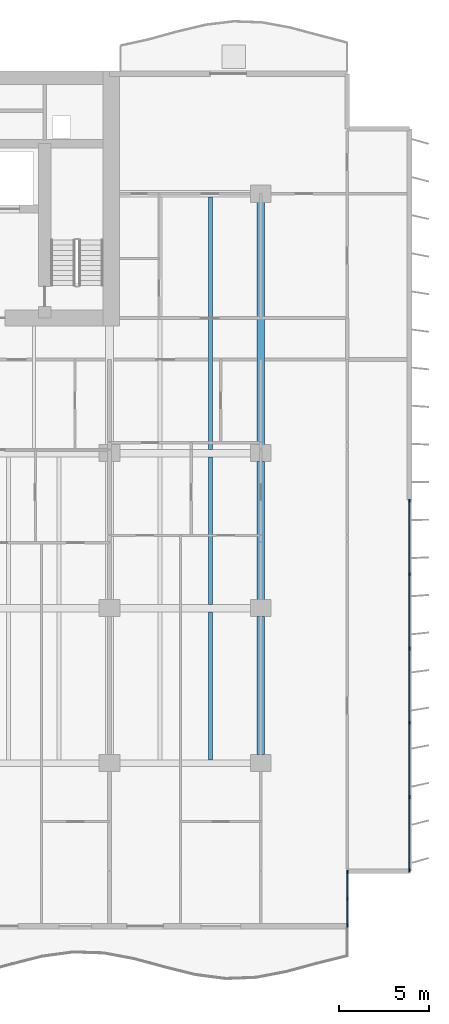
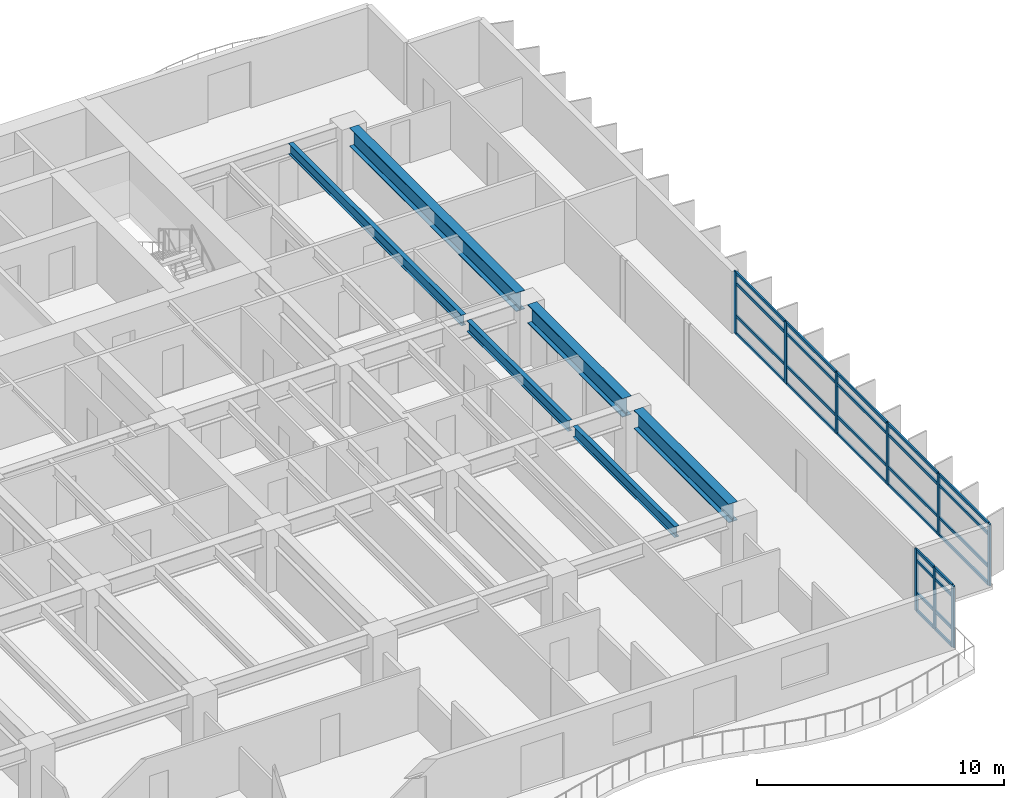
# One storey, part 4 of 17: 37 members, 6 beams, 2 elements without a shape of their own.
"""IFC4 building model written with IfcOpenShell, lengths in metres."""

from ifc_helpers import new_model, si_unit, direction, frame, origin, origin_2d, place, context, subcontext, project, spatial, rectangle, i_section, extrude, material, layer, layer_set, material_profile, profile_set, type_object, element, aggregate, save


model = new_model("IFC4")

# Units and contexts
model_context = context("Model", 3, precision=1e-05, world=origin(), true_north=direction((0.0, 1.0)))
body_context = subcontext(model_context, "Body", "Model", "MODEL_VIEW")
ifc_project = project(units=[si_unit("LENGTHUNIT", "METRE"), si_unit("AREAUNIT", "SQUARE_METRE"), si_unit("VOLUMEUNIT", "CUBIC_METRE"), si_unit("PLANEANGLEUNIT", "RADIAN"), si_unit("MASSUNIT", "GRAM", prefix="KILO")], contexts=[model_context])

# Site, building, storey
site_placement = place(None, origin())
site = spatial("IfcSite", under=ifc_project, at=site_placement, CompositionType="ELEMENT")
building_placement = place(site_placement, origin())
building = spatial("IfcBuilding", under=site, at=building_placement, Name="Caelmar Bay Residences", CompositionType="ELEMENT")
storey_placement = place(building_placement, frame((0.0, 0.0, 49.800048828125)))
storey = spatial("IfcBuildingStorey", under=building, at=storey_placement, Name="L12", CompositionType="ELEMENT", Elevation=49.800048828125)

# Beams
ifc_material_1 = material(Name="Steel ASTM A992 Grade 50", Category="steel")
ifc_material_profile_1 = material_profile(ifc_material_1, i_section(OverallWidth=0.422119140625, OverallDepth=0.925048828125, WebThickness=0.021240234375, FlangeThickness=0.03662109375, FilletRadius=0.020263671875, at=origin_2d()), Name="W36X262")
ifc_profile_set_1 = profile_set([ifc_material_profile_1], Name="Steel ASTM A992 Grade 50")
beam_type_1 = type_object("IfcBeamType", Name="BM-GRD-W36X262", PredefinedType="BEAM", material=ifc_profile_set_1)
beam_1_placement = place(storey_placement, frame((67.89990234375, 12.6650390625, 2.58740234375), z_axis=(0.0, 1.0, 0.0), x_axis=(-1.0, 0.0, 0.0)))
element("IfcBeam", 1, at=beam_1_placement, inside=storey, type_object=beam_type_1, Name="L12 North-South Girder X=67.90 (12.2-20.8)", PredefinedType="BEAM", context=body_context, shape_type="SweptSolid", body=[
    extrude(i_section(OverallWidth=0.422119140625, OverallDepth=0.925048828125, WebThickness=0.021240234375, FlangeThickness=0.03662109375, FilletRadius=0.020263671875, at=origin_2d()), origin(), (0.0, 0.0, 1.0), 7.669921875),
])
beam_2_placement = place(storey_placement, frame((67.89990234375, 21.264892578125, 2.58740234375), z_axis=(0.0, 1.0, 0.0), x_axis=(-1.0, 0.0, 0.0)))
element("IfcBeam", 2, at=beam_2_placement, inside=storey, type_object=beam_type_1, Name="L12 North-South Girder X=67.90 (20.8-29.4)", PredefinedType="BEAM", context=body_context, shape_type="SweptSolid", body=[
    extrude(i_section(OverallWidth=0.422119140625, OverallDepth=0.925048828125, WebThickness=0.021240234375, FlangeThickness=0.03662109375, FilletRadius=0.020263671875, at=origin_2d()), origin(), (0.0, 0.0, 1.0), 7.670166015625),
])
beam_3_placement = place(storey_placement, frame((67.89990234375, 29.864990234375, 2.58740234375), z_axis=(0.0, 1.0, 0.0), x_axis=(-1.0, 0.0, 0.0)))
element("IfcBeam", 3, at=beam_3_placement, inside=storey, type_object=beam_type_1, Name="L12 North-South Girder X=67.90 (29.4-43.8)", PredefinedType="BEAM", context=body_context, shape_type="SweptSolid", body=[
    extrude(i_section(OverallWidth=0.422119140625, OverallDepth=0.925048828125, WebThickness=0.021240234375, FlangeThickness=0.03662109375, FilletRadius=0.020263671875, at=origin_2d()), origin(), (0.0, 0.0, 1.0), 13.469970703125),
])
ifc_material_profile_2 = material_profile(ifc_material_1, i_section(OverallWidth=0.2099609375, OverallDepth=0.535888671875, WebThickness=0.010986328125, FlangeThickness=0.017333984375, FilletRadius=0.0126953125, at=origin_2d()), Name="W21X68")
ifc_profile_set_2 = profile_set([ifc_material_profile_2], Name="Steel ASTM A992 Grade 50")
beam_type_2 = type_object("IfcBeamType", Name="BM-JST-W21X68", PredefinedType="JOIST", material=ifc_profile_set_2)
beam_4_placement = place(storey_placement, frame((65.10009765625, 12.3779296875, 2.781982421875), z_axis=(0.0, 1.0, 0.0), x_axis=(-1.0, 0.0, 0.0)))
element("IfcBeam", 4, at=beam_4_placement, inside=storey, type_object=beam_type_2, Name="L12 Composite Floor Joist 14", PredefinedType="JOIST", context=body_context, shape_type="SweptSolid", body=[
    extrude(i_section(OverallWidth=0.2099609375, OverallDepth=0.535888671875, WebThickness=0.010986328125, FlangeThickness=0.017333984375, FilletRadius=0.0126953125, at=origin_2d()), origin(), (0.0, 0.0, 1.0), 8.211181640625),
])
beam_5_placement = place(storey_placement, frame((65.10009765625, 21.010986328125, 2.781982421875), z_axis=(0.0, 1.0, 0.0), x_axis=(-1.0, 0.0, 0.0)))
element("IfcBeam", 5, at=beam_5_placement, inside=storey, type_object=beam_type_2, Name="L12 Composite Floor Joist 28", PredefinedType="JOIST", context=body_context, shape_type="SweptSolid", body=[
    extrude(i_section(OverallWidth=0.2099609375, OverallDepth=0.535888671875, WebThickness=0.010986328125, FlangeThickness=0.017333984375, FilletRadius=0.0126953125, at=origin_2d()), origin(), (0.0, 0.0, 1.0), 8.177978515625),
])
beam_6_placement = place(storey_placement, frame((65.10009765625, 29.611083984375, 2.781982421875), z_axis=(0.0, 1.0, 0.0), x_axis=(-1.0, 0.0, 0.0)))
element("IfcBeam", 6, at=beam_6_placement, inside=storey, type_object=beam_type_2, Name="L12 Composite Floor Joist 37", PredefinedType="JOIST", context=body_context, shape_type="SweptSolid", body=[
    extrude(i_section(OverallWidth=0.2099609375, OverallDepth=0.535888671875, WebThickness=0.010986328125, FlangeThickness=0.017333984375, FilletRadius=0.0126953125, at=origin_2d()), origin(), (0.0, 0.0, 1.0), 14.010986328125),
])

# Curtain wall, members
ifc_material_2 = material(Name="Anodised bronze aluminium 6063-T6 and laminated glass", Category="aluminium")
ifc_layer_1 = layer(ifc_material_2, 0.179931640625)
ifc_layer_set_1 = layer_set([ifc_layer_1], Name="Anodised bronze aluminium 6063-T6 and laminated glass")
curtain_wall_type_1 = type_object("IfcCurtainWallType", Name="CW6-NTC", PredefinedType="NOTDEFINED", material=ifc_layer_set_1)
curtain_wall_1_placement = place(storey_placement, origin())
curtain_wall_1 = element("IfcCurtainWall", 7, at=curtain_wall_1_placement, inside=storey, type_object=curtain_wall_type_1, Name="CW6 curtain wall L12", PredefinedType="NOTDEFINED")
ifc_material_3 = material(Name="Anodised bronze aluminium 6063-T6", Category="aluminium")
ifc_material_profile_3 = material_profile(ifc_material_3, rectangle(XDim=0.080078125, YDim=0.179931640625, at=origin_2d()), Name="CWM-80X180")
ifc_profile_set_3 = profile_set([ifc_material_profile_3], Name="Anodised bronze aluminium 6063-T6")
member_type_1 = type_object("IfcMemberType", Name="CWM-180", PredefinedType="MULLION", material=ifc_profile_set_3)
member_1_placement = place(storey_placement, frame((72.699951171875, 3.18994140625, 0.0), z_axis=(0.0, 0.0, 1.0), x_axis=(-1.0, 0.0, 0.0)))
member_1 = element("IfcMember", 8, at=member_1_placement, type_object=member_type_1, Name="CW6 mullion 1", PredefinedType="MULLION", context=body_context, shape_type="SweptSolid", body=[
    extrude(rectangle(XDim=0.080078125, YDim=0.179931640625, at=origin_2d()), origin(), (0.0, 0.0, 1.0), 3.050048828125),
])
member_2_placement = place(storey_placement, frame((72.699951171875, 4.675048828125, 0.0), z_axis=(0.0, 0.0, 1.0), x_axis=(-1.0, 0.0, 0.0)))
member_2 = element("IfcMember", 9, at=member_2_placement, type_object=member_type_1, Name="CW6 mullion 2", PredefinedType="MULLION", context=body_context, shape_type="SweptSolid", body=[
    extrude(rectangle(XDim=0.080078125, YDim=0.179931640625, at=origin_2d()), origin(), (0.0, 0.0, 1.0), 3.050048828125),
])
member_3_placement = place(storey_placement, frame((72.699951171875, 6.159912109375, 0.0), z_axis=(0.0, 0.0, 1.0), x_axis=(-1.0, 0.0, 0.0)))
member_3 = element("IfcMember", 10, at=member_3_placement, type_object=member_type_1, Name="CW6 mullion 3", PredefinedType="MULLION", context=body_context, shape_type="SweptSolid", body=[
    extrude(rectangle(XDim=0.080078125, YDim=0.179931640625, at=origin_2d()), origin(), (0.0, 0.0, 1.0), 3.050048828125),
])

ifc_layer_2 = layer(ifc_material_2, 0.179931640625)
ifc_layer_set_2 = layer_set([ifc_layer_2], Name="Anodised bronze aluminium 6063-T6 and laminated glass")
curtain_wall_type_2 = type_object("IfcCurtainWallType", Name="CW2-Z1", PredefinedType="NOTDEFINED", material=ifc_layer_set_2)
curtain_wall_2_placement = place(storey_placement, origin())
curtain_wall_2 = element("IfcCurtainWall", 11, at=curtain_wall_2_placement, inside=storey, type_object=curtain_wall_type_2, Name="CW2 curtain wall L12", PredefinedType="NOTDEFINED")
member_4_placement = place(storey_placement, frame((76.14990234375, 26.760009765625, 0.0), z_axis=(0.0, 0.0, 1.0), x_axis=(1.0, 0.0, 0.0)))
member_4 = element("IfcMember", 12, at=member_4_placement, type_object=member_type_1, Name="CW2 mullion 1", PredefinedType="MULLION", context=body_context, shape_type="SweptSolid", body=[
    extrude(rectangle(XDim=0.080078125, YDim=0.179931640625, at=origin_2d()), origin(), (0.0, 0.0, 1.0), 3.050048828125),
])
member_5_placement = place(storey_placement, frame((76.14990234375, 22.679931640625, 0.0), z_axis=(0.0, 0.0, 1.0), x_axis=(1.0, 0.0, 0.0)))
member_5 = element("IfcMember", 13, at=member_5_placement, type_object=member_type_1, Name="CW2 mullion 2", PredefinedType="MULLION", context=body_context, shape_type="SweptSolid", body=[
    extrude(rectangle(XDim=0.080078125, YDim=0.179931640625, at=origin_2d()), origin(), (0.0, 0.0, 1.0), 3.050048828125),
])
member_6_placement = place(storey_placement, frame((76.14990234375, 18.56005859375, 0.0), z_axis=(0.0, 0.0, 1.0), x_axis=(1.0, 0.0, 0.0)))
member_6 = element("IfcMember", 14, at=member_6_placement, type_object=member_type_1, Name="CW2 mullion 3", PredefinedType="MULLION", context=body_context, shape_type="SweptSolid", body=[
    extrude(rectangle(XDim=0.080078125, YDim=0.179931640625, at=origin_2d()), origin(), (0.0, 0.0, 1.0), 3.050048828125),
])
member_7_placement = place(storey_placement, frame((76.14990234375, 14.43994140625, 0.0), z_axis=(0.0, 0.0, 1.0), x_axis=(1.0, 0.0, 0.0)))
member_7 = element("IfcMember", 15, at=member_7_placement, type_object=member_type_1, Name="CW2 mullion 4", PredefinedType="MULLION", context=body_context, shape_type="SweptSolid", body=[
    extrude(rectangle(XDim=0.080078125, YDim=0.179931640625, at=origin_2d()), origin(), (0.0, 0.0, 1.0), 3.050048828125),
])
member_8_placement = place(storey_placement, frame((76.14990234375, 10.320068359375, 0.0), z_axis=(0.0, 0.0, 1.0), x_axis=(1.0, 0.0, 0.0)))
member_8 = element("IfcMember", 16, at=member_8_placement, type_object=member_type_1, Name="CW2 mullion 5", PredefinedType="MULLION", context=body_context, shape_type="SweptSolid", body=[
    extrude(rectangle(XDim=0.080078125, YDim=0.179931640625, at=origin_2d()), origin(), (0.0, 0.0, 1.0), 3.050048828125),
])
member_9_placement = place(storey_placement, frame((76.14990234375, 6.239990234375, 0.0), z_axis=(0.0, 0.0, 1.0), x_axis=(1.0, 0.0, 0.0)))
member_9 = element("IfcMember", 17, at=member_9_placement, type_object=member_type_1, Name="CW2 mullion 6", PredefinedType="MULLION", context=body_context, shape_type="SweptSolid", body=[
    extrude(rectangle(XDim=0.080078125, YDim=0.179931640625, at=origin_2d()), origin(), (0.0, 0.0, 1.0), 3.050048828125),
])

# Member
ifc_material_profile_4 = material_profile(ifc_material_3, rectangle(XDim=0.080078125, YDim=0.139892578125, at=origin_2d()), Name="CWT-80X140")
ifc_profile_set_4 = profile_set([ifc_material_profile_4], Name="Anodised bronze aluminium 6063-T6")
member_type_2 = type_object("IfcMemberType", Name="CWT-140", PredefinedType="NOTDEFINED", material=ifc_profile_set_4)
member_10_placement = place(storey_placement, frame((72.699951171875, 3.22998046875, 0.0400390625), z_axis=(0.0, 1.0, 0.0), x_axis=(-1.0, 0.0, 0.0)))
member_10 = element("IfcMember", 18, at=member_10_placement, type_object=member_type_2, Name="CW6 transom 1.1", ObjectType="TRANSOM", PredefinedType="USERDEFINED", context=body_context, shape_type="SweptSolid", body=[
    extrude(rectangle(XDim=0.080078125, YDim=0.139892578125, at=origin_2d()), origin(), (0.0, 0.0, 1.0), 1.405029296875),
])

member_11_placement = place(storey_placement, frame((72.699951171875, 3.22998046875, 0.89990234375), z_axis=(0.0, 1.0, 0.0), x_axis=(-1.0, 0.0, 0.0)))
member_11 = element("IfcMember", 19, at=member_11_placement, type_object=member_type_2, Name="CW6 transom 1.2", ObjectType="TRANSOM", PredefinedType="USERDEFINED", context=body_context, shape_type="SweptSolid", body=[
    extrude(rectangle(XDim=0.080078125, YDim=0.139892578125, at=origin_2d()), origin(), (0.0, 0.0, 1.0), 1.405029296875),
])

member_12_placement = place(storey_placement, frame((72.699951171875, 3.22998046875, 2.5), z_axis=(0.0, 1.0, 0.0), x_axis=(-1.0, 0.0, 0.0)))
member_12 = element("IfcMember", 20, at=member_12_placement, type_object=member_type_2, Name="CW6 transom 1.3", ObjectType="TRANSOM", PredefinedType="USERDEFINED", context=body_context, shape_type="SweptSolid", body=[
    extrude(rectangle(XDim=0.080078125, YDim=0.139892578125, at=origin_2d()), origin(), (0.0, 0.0, 1.0), 1.405029296875),
])

member_13_placement = place(storey_placement, frame((72.699951171875, 3.22998046875, 3.010009765625), z_axis=(0.0, 1.0, 0.0), x_axis=(-1.0, 0.0, 0.0)))
member_13 = element("IfcMember", 21, at=member_13_placement, type_object=member_type_2, Name="CW6 transom 1.4", ObjectType="TRANSOM", PredefinedType="USERDEFINED", context=body_context, shape_type="SweptSolid", body=[
    extrude(rectangle(XDim=0.080078125, YDim=0.139892578125, at=origin_2d()), origin(), (0.0, 0.0, 1.0), 1.405029296875),
])

member_14_placement = place(storey_placement, frame((72.699951171875, 4.715087890625, 0.0400390625), z_axis=(0.0, 1.0, 0.0), x_axis=(-1.0, 0.0, 0.0)))
member_14 = element("IfcMember", 22, at=member_14_placement, type_object=member_type_2, Name="CW6 transom 2.1", ObjectType="TRANSOM", PredefinedType="USERDEFINED", context=body_context, shape_type="SweptSolid", body=[
    extrude(rectangle(XDim=0.080078125, YDim=0.139892578125, at=origin_2d()), origin(), (0.0, 0.0, 1.0), 1.405029296875),
])

member_15_placement = place(storey_placement, frame((72.699951171875, 4.715087890625, 0.89990234375), z_axis=(0.0, 1.0, 0.0), x_axis=(-1.0, 0.0, 0.0)))
member_15 = element("IfcMember", 23, at=member_15_placement, type_object=member_type_2, Name="CW6 transom 2.2", ObjectType="TRANSOM", PredefinedType="USERDEFINED", context=body_context, shape_type="SweptSolid", body=[
    extrude(rectangle(XDim=0.080078125, YDim=0.139892578125, at=origin_2d()), origin(), (0.0, 0.0, 1.0), 1.405029296875),
])

member_16_placement = place(storey_placement, frame((72.699951171875, 4.715087890625, 2.5), z_axis=(0.0, 1.0, 0.0), x_axis=(-1.0, 0.0, 0.0)))
member_16 = element("IfcMember", 24, at=member_16_placement, type_object=member_type_2, Name="CW6 transom 2.3", ObjectType="TRANSOM", PredefinedType="USERDEFINED", context=body_context, shape_type="SweptSolid", body=[
    extrude(rectangle(XDim=0.080078125, YDim=0.139892578125, at=origin_2d()), origin(), (0.0, 0.0, 1.0), 1.405029296875),
])

member_17_placement = place(storey_placement, frame((72.699951171875, 4.715087890625, 3.010009765625), z_axis=(0.0, 1.0, 0.0), x_axis=(-1.0, 0.0, 0.0)))
member_17 = element("IfcMember", 25, at=member_17_placement, type_object=member_type_2, Name="CW6 transom 2.4", ObjectType="TRANSOM", PredefinedType="USERDEFINED", context=body_context, shape_type="SweptSolid", body=[
    extrude(rectangle(XDim=0.080078125, YDim=0.139892578125, at=origin_2d()), origin(), (0.0, 0.0, 1.0), 1.405029296875),
])

aggregate(curtain_wall_1, [member_1, member_2, member_3, member_10, member_11, member_12, member_13, member_14, member_15, member_16, member_17])

member_18_placement = place(storey_placement, frame((76.14990234375, 26.719970703125, 0.0400390625), z_axis=(0.0, -1.0, 0.0), x_axis=(1.0, 0.0, 0.0)))
member_18 = element("IfcMember", 26, at=member_18_placement, type_object=member_type_2, Name="CW2 transom 1.1", ObjectType="TRANSOM", PredefinedType="USERDEFINED", context=body_context, shape_type="SweptSolid", body=[
    extrude(rectangle(XDim=0.080078125, YDim=0.139892578125, at=origin_2d()), origin(), (0.0, 0.0, 1.0), 4.0),
])

member_19_placement = place(storey_placement, frame((76.14990234375, 26.719970703125, 0.89990234375), z_axis=(0.0, -1.0, 0.0), x_axis=(1.0, 0.0, 0.0)))
member_19 = element("IfcMember", 27, at=member_19_placement, type_object=member_type_2, Name="CW2 transom 1.2", ObjectType="TRANSOM", PredefinedType="USERDEFINED", context=body_context, shape_type="SweptSolid", body=[
    extrude(rectangle(XDim=0.080078125, YDim=0.139892578125, at=origin_2d()), origin(), (0.0, 0.0, 1.0), 4.0),
])

member_20_placement = place(storey_placement, frame((76.14990234375, 26.719970703125, 2.5), z_axis=(0.0, -1.0, 0.0), x_axis=(1.0, 0.0, 0.0)))
member_20 = element("IfcMember", 28, at=member_20_placement, type_object=member_type_2, Name="CW2 transom 1.3", ObjectType="TRANSOM", PredefinedType="USERDEFINED", context=body_context, shape_type="SweptSolid", body=[
    extrude(rectangle(XDim=0.080078125, YDim=0.139892578125, at=origin_2d()), origin(), (0.0, 0.0, 1.0), 4.0),
])

member_21_placement = place(storey_placement, frame((76.14990234375, 26.719970703125, 3.010009765625), z_axis=(0.0, -1.0, 0.0), x_axis=(1.0, 0.0, 0.0)))
member_21 = element("IfcMember", 29, at=member_21_placement, type_object=member_type_2, Name="CW2 transom 1.4", ObjectType="TRANSOM", PredefinedType="USERDEFINED", context=body_context, shape_type="SweptSolid", body=[
    extrude(rectangle(XDim=0.080078125, YDim=0.139892578125, at=origin_2d()), origin(), (0.0, 0.0, 1.0), 4.0),
])

member_22_placement = place(storey_placement, frame((76.14990234375, 22.639892578125, 0.0400390625), z_axis=(0.0, -1.0, 0.0), x_axis=(1.0, 0.0, 0.0)))
member_22 = element("IfcMember", 30, at=member_22_placement, type_object=member_type_2, Name="CW2 transom 2.1", ObjectType="TRANSOM", PredefinedType="USERDEFINED", context=body_context, shape_type="SweptSolid", body=[
    extrude(rectangle(XDim=0.080078125, YDim=0.139892578125, at=origin_2d()), origin(), (0.0, 0.0, 1.0), 4.039794921875),
])

member_23_placement = place(storey_placement, frame((76.14990234375, 22.639892578125, 0.89990234375), z_axis=(0.0, -1.0, 0.0), x_axis=(1.0, 0.0, 0.0)))
member_23 = element("IfcMember", 31, at=member_23_placement, type_object=member_type_2, Name="CW2 transom 2.2", ObjectType="TRANSOM", PredefinedType="USERDEFINED", context=body_context, shape_type="SweptSolid", body=[
    extrude(rectangle(XDim=0.080078125, YDim=0.139892578125, at=origin_2d()), origin(), (0.0, 0.0, 1.0), 4.039794921875),
])

member_24_placement = place(storey_placement, frame((76.14990234375, 22.639892578125, 2.5), z_axis=(0.0, -1.0, 0.0), x_axis=(1.0, 0.0, 0.0)))
member_24 = element("IfcMember", 32, at=member_24_placement, type_object=member_type_2, Name="CW2 transom 2.3", ObjectType="TRANSOM", PredefinedType="USERDEFINED", context=body_context, shape_type="SweptSolid", body=[
    extrude(rectangle(XDim=0.080078125, YDim=0.139892578125, at=origin_2d()), origin(), (0.0, 0.0, 1.0), 4.039794921875),
])

member_25_placement = place(storey_placement, frame((76.14990234375, 22.639892578125, 3.010009765625), z_axis=(0.0, -1.0, 0.0), x_axis=(1.0, 0.0, 0.0)))
member_25 = element("IfcMember", 33, at=member_25_placement, type_object=member_type_2, Name="CW2 transom 2.4", ObjectType="TRANSOM", PredefinedType="USERDEFINED", context=body_context, shape_type="SweptSolid", body=[
    extrude(rectangle(XDim=0.080078125, YDim=0.139892578125, at=origin_2d()), origin(), (0.0, 0.0, 1.0), 4.039794921875),
])

member_26_placement = place(storey_placement, frame((76.14990234375, 18.52001953125, 0.0400390625), z_axis=(0.0, -1.0, 0.0), x_axis=(1.0, 0.0, 0.0)))
member_26 = element("IfcMember", 34, at=member_26_placement, type_object=member_type_2, Name="CW2 transom 3.1", ObjectType="TRANSOM", PredefinedType="USERDEFINED", context=body_context, shape_type="SweptSolid", body=[
    extrude(rectangle(XDim=0.080078125, YDim=0.139892578125, at=origin_2d()), origin(), (0.0, 0.0, 1.0), 4.0400390625),
])

member_27_placement = place(storey_placement, frame((76.14990234375, 18.52001953125, 0.89990234375), z_axis=(0.0, -1.0, 0.0), x_axis=(1.0, 0.0, 0.0)))
member_27 = element("IfcMember", 35, at=member_27_placement, type_object=member_type_2, Name="CW2 transom 3.2", ObjectType="TRANSOM", PredefinedType="USERDEFINED", context=body_context, shape_type="SweptSolid", body=[
    extrude(rectangle(XDim=0.080078125, YDim=0.139892578125, at=origin_2d()), origin(), (0.0, 0.0, 1.0), 4.0400390625),
])

member_28_placement = place(storey_placement, frame((76.14990234375, 18.52001953125, 2.5), z_axis=(0.0, -1.0, 0.0), x_axis=(1.0, 0.0, 0.0)))
member_28 = element("IfcMember", 36, at=member_28_placement, type_object=member_type_2, Name="CW2 transom 3.3", ObjectType="TRANSOM", PredefinedType="USERDEFINED", context=body_context, shape_type="SweptSolid", body=[
    extrude(rectangle(XDim=0.080078125, YDim=0.139892578125, at=origin_2d()), origin(), (0.0, 0.0, 1.0), 4.0400390625),
])

member_29_placement = place(storey_placement, frame((76.14990234375, 18.52001953125, 3.010009765625), z_axis=(0.0, -1.0, 0.0), x_axis=(1.0, 0.0, 0.0)))
member_29 = element("IfcMember", 37, at=member_29_placement, type_object=member_type_2, Name="CW2 transom 3.4", ObjectType="TRANSOM", PredefinedType="USERDEFINED", context=body_context, shape_type="SweptSolid", body=[
    extrude(rectangle(XDim=0.080078125, YDim=0.139892578125, at=origin_2d()), origin(), (0.0, 0.0, 1.0), 4.0400390625),
])

member_30_placement = place(storey_placement, frame((76.14990234375, 14.39990234375, 0.0400390625), z_axis=(0.0, -1.0, 0.0), x_axis=(1.0, 0.0, 0.0)))
member_30 = element("IfcMember", 38, at=member_30_placement, type_object=member_type_2, Name="CW2 transom 4.1", ObjectType="TRANSOM", PredefinedType="USERDEFINED", context=body_context, shape_type="SweptSolid", body=[
    extrude(rectangle(XDim=0.080078125, YDim=0.139892578125, at=origin_2d()), origin(), (0.0, 0.0, 1.0), 4.039794921875),
])

member_31_placement = place(storey_placement, frame((76.14990234375, 14.39990234375, 0.89990234375), z_axis=(0.0, -1.0, 0.0), x_axis=(1.0, 0.0, 0.0)))
member_31 = element("IfcMember", 39, at=member_31_placement, type_object=member_type_2, Name="CW2 transom 4.2", ObjectType="TRANSOM", PredefinedType="USERDEFINED", context=body_context, shape_type="SweptSolid", body=[
    extrude(rectangle(XDim=0.080078125, YDim=0.139892578125, at=origin_2d()), origin(), (0.0, 0.0, 1.0), 4.039794921875),
])

member_32_placement = place(storey_placement, frame((76.14990234375, 14.39990234375, 2.5), z_axis=(0.0, -1.0, 0.0), x_axis=(1.0, 0.0, 0.0)))
member_32 = element("IfcMember", 40, at=member_32_placement, type_object=member_type_2, Name="CW2 transom 4.3", ObjectType="TRANSOM", PredefinedType="USERDEFINED", context=body_context, shape_type="SweptSolid", body=[
    extrude(rectangle(XDim=0.080078125, YDim=0.139892578125, at=origin_2d()), origin(), (0.0, 0.0, 1.0), 4.039794921875),
])

member_33_placement = place(storey_placement, frame((76.14990234375, 14.39990234375, 3.010009765625), z_axis=(0.0, -1.0, 0.0), x_axis=(1.0, 0.0, 0.0)))
member_33 = element("IfcMember", 41, at=member_33_placement, type_object=member_type_2, Name="CW2 transom 4.4", ObjectType="TRANSOM", PredefinedType="USERDEFINED", context=body_context, shape_type="SweptSolid", body=[
    extrude(rectangle(XDim=0.080078125, YDim=0.139892578125, at=origin_2d()), origin(), (0.0, 0.0, 1.0), 4.039794921875),
])

member_34_placement = place(storey_placement, frame((76.14990234375, 10.280029296875, 0.0400390625), z_axis=(0.0, -1.0, 0.0), x_axis=(1.0, 0.0, 0.0)))
member_34 = element("IfcMember", 42, at=member_34_placement, type_object=member_type_2, Name="CW2 transom 5.1", ObjectType="TRANSOM", PredefinedType="USERDEFINED", context=body_context, shape_type="SweptSolid", body=[
    extrude(rectangle(XDim=0.080078125, YDim=0.139892578125, at=origin_2d()), origin(), (0.0, 0.0, 1.0), 4.0),
])

member_35_placement = place(storey_placement, frame((76.14990234375, 10.280029296875, 0.89990234375), z_axis=(0.0, -1.0, 0.0), x_axis=(1.0, 0.0, 0.0)))
member_35 = element("IfcMember", 43, at=member_35_placement, type_object=member_type_2, Name="CW2 transom 5.2", ObjectType="TRANSOM", PredefinedType="USERDEFINED", context=body_context, shape_type="SweptSolid", body=[
    extrude(rectangle(XDim=0.080078125, YDim=0.139892578125, at=origin_2d()), origin(), (0.0, 0.0, 1.0), 4.0),
])

member_36_placement = place(storey_placement, frame((76.14990234375, 10.280029296875, 2.5), z_axis=(0.0, -1.0, 0.0), x_axis=(1.0, 0.0, 0.0)))
member_36 = element("IfcMember", 44, at=member_36_placement, type_object=member_type_2, Name="CW2 transom 5.3", ObjectType="TRANSOM", PredefinedType="USERDEFINED", context=body_context, shape_type="SweptSolid", body=[
    extrude(rectangle(XDim=0.080078125, YDim=0.139892578125, at=origin_2d()), origin(), (0.0, 0.0, 1.0), 4.0),
])

member_37_placement = place(storey_placement, frame((76.14990234375, 10.280029296875, 3.010009765625), z_axis=(0.0, -1.0, 0.0), x_axis=(1.0, 0.0, 0.0)))
member_37 = element("IfcMember", 45, at=member_37_placement, type_object=member_type_2, Name="CW2 transom 5.4", ObjectType="TRANSOM", PredefinedType="USERDEFINED", context=body_context, shape_type="SweptSolid", body=[
    extrude(rectangle(XDim=0.080078125, YDim=0.139892578125, at=origin_2d()), origin(), (0.0, 0.0, 1.0), 4.0),
])

aggregate(curtain_wall_2, [member_4, member_5, member_6, member_7, member_8, member_9, member_18, member_19, member_20, member_21, member_22, member_23, member_24, member_25, member_26, member_27, member_28, member_29, member_30, member_31, member_32, member_33, member_34, member_35, member_36, member_37])

save(model, "model.ifc")
